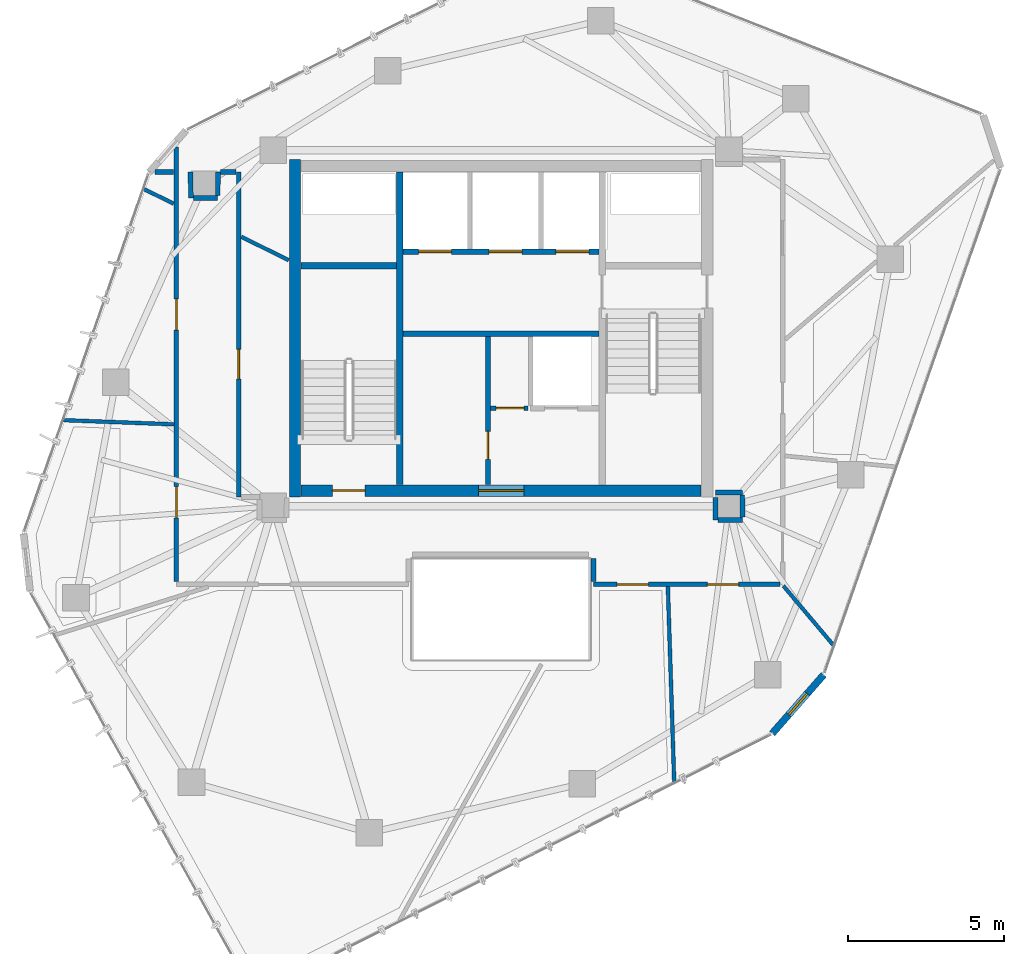
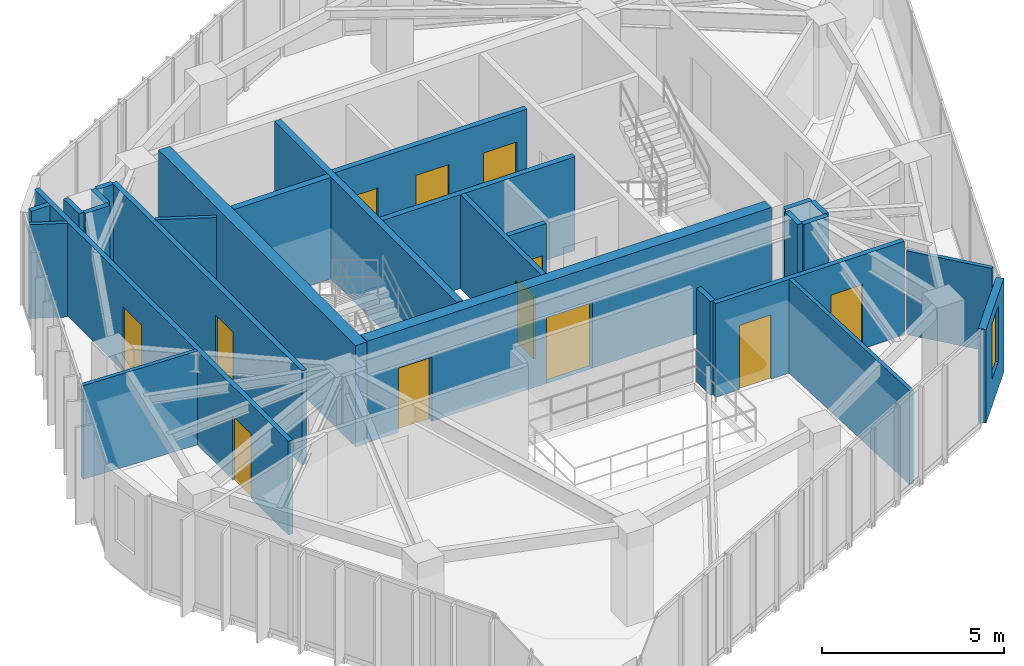
# One storey, part 17 of 21: 27 walls, 12 doors, 1 window, 13 openings.
"""IFC4 building model written with IfcOpenShell, lengths in metres."""

from ifc_helpers import new_model, si_unit, direction, frame, frame_2d, origin, place, context, subcontext, project, spatial, rectangle, extrude, source, transform, mapped, material, layer, layer_set, type_object, type_shapes, element, fill, save


model = new_model("IFC4")

# Units and contexts
model_context = context("Model", 3, precision=1e-05, world=origin(), true_north=direction((0.0, 1.0)))
body_context = subcontext(model_context, "Body", "Model", "MODEL_VIEW")
ifc_project = project(units=[si_unit("LENGTHUNIT", "METRE"), si_unit("AREAUNIT", "SQUARE_METRE"), si_unit("VOLUMEUNIT", "CUBIC_METRE"), si_unit("PLANEANGLEUNIT", "RADIAN"), si_unit("MASSUNIT", "GRAM", prefix="KILO")], contexts=[model_context])

# Site, building, storey
site_placement = place(None, origin())
site = spatial("IfcSite", under=ifc_project, at=site_placement, CompositionType="ELEMENT")
building_placement = place(site_placement, origin())
building = spatial("IfcBuilding", under=site, at=building_placement, Name="Talar Marvaseh", CompositionType="ELEMENT")
storey_placement = place(building_placement, frame((0.0, 0.0, 264.60009765625)))
storey = spatial("IfcBuildingStorey", under=building, at=storey_placement, Name="L70", CompositionType="ELEMENT", Elevation=264.60009765625)

# Wall, opening, window
ifc_material_1 = material(Name="Precast concrete C45/55", Category="concrete")
ifc_layer_1 = layer(ifc_material_1, 0.22509765625)
ifc_layer_set_1 = layer_set([ifc_layer_1], Name="Precast concrete C45/55")
wall_type_1 = type_object("IfcWallType", Name="Chamfered Hexagonal Corner Pier Wall Z4 225", PredefinedType="SOLIDWALL", material=ifc_layer_set_1)
wall_1_placement = place(storey_placement, frame((36.33349609375, 20.101806640625, 0.0), z_axis=(0.0, 0.0, 1.0), x_axis=(-0.659346883698, -0.751838870343, 0.0)))
wall_1 = element("IfcWall", 1, at=wall_1_placement, inside=storey, type_object=wall_type_1, Name="L70 Chamfered Corner Limestone Pier 6", PredefinedType="SOLIDWALL", context=body_context, shape_type="SweptSolid", body=[
    extrude(rectangle(XDim=2.50244140625, YDim=0.22509765625, at=frame_2d((1.251220703125, 0.0))), origin(), (0.0, 0.0, 1.0), 3.139892578125),
])
opening_1_placement = place(wall_1_placement, frame((0.801025390625, 0.0, 0.89990234375)))
opening_1 = element("IfcOpeningElement", 2, at=opening_1_placement, cuts=wall_1, Name="Opening WN-CHM09", PredefinedType="OPENING", context=body_context, shape_type="SweptSolid", body=[
    extrude(rectangle(XDim=0.89990234375, YDim=1.85009765625, at=frame_2d((0.449951171875, 0.925048828125))), frame((0.0, 0.12255859375, 0.0), z_axis=(0.0, -1.0, 0.0), x_axis=(1.0, 0.0, 0.0)), (0.0, 0.0, 1.0), 0.2451171875),
])
ifc_material_2 = material(Name="Laminated Low-E Solar Glass", Category="glass")
window_type = type_object("IfcWindowType", Name="Zone 4 Chamfered Corner Slot Window 900x1850", PartitioningType="SINGLE_PANEL", PredefinedType="WINDOW", material=ifc_material_2)
shared_shape_1 = source(origin(), body_context, "Body", "SweptSolid", [
    extrude(rectangle(XDim=0.89990234375, YDim=1.85009765625, at=frame_2d((0.449951171875, 0.925048828125))), frame((0.0, 0.030029296875, 0.0), z_axis=(0.0, -1.0, 0.0), x_axis=(1.0, 0.0, 0.0)), (0.0, 0.0, 1.0), 0.06005859375),
])
type_shapes(window_type, [shared_shape_1])
window_placement = place(opening_1_placement, origin())
window = element("IfcWindow", 3, at=window_placement, inside=storey, type_object=window_type, Name="L70 Chamfered Corner Slot Window", OverallHeight=1.85009765625, OverallWidth=0.89990234375, PartitioningType="SINGLE_PANEL", PredefinedType="WINDOW", context=body_context, shape_type="MappedRepresentation", body=[
    mapped(shared_shape_1, transform((0.0, 0.0, 0.0), x_axis=(1.0, 0.0, 0.0), y_axis=(0.0, 1.0, 0.0), z_axis=(0.0, 0.0, 1.0), scale=1.0)),
])
fill(opening_1, window)

# Wall, opening, door
ifc_material_3 = material(Name="Gypsum Board Partition Assembly")
ifc_layer_2 = layer(ifc_material_3, 0.155029296875)
ifc_layer_set_2 = layer_set([ifc_layer_2], Name="Gypsum Board Partition Assembly")
wall_type_2 = type_object("IfcWallType", Name="Corridor Fire-Rated Acoustic Partition 155", PredefinedType="PARTITIONING", material=ifc_layer_set_2)
wall_2_placement = place(storey_placement, frame((25.580078125, 26.199951171875, 0.0), z_axis=(0.0, 0.0, 1.0), x_axis=(0.0, 1.0, 0.0)))
wall_2 = element("IfcWall", 4, at=wall_2_placement, inside=storey, type_object=wall_type_2, Name="L70 Core BOH Partition", PredefinedType="PARTITIONING", context=body_context, shape_type="SweptSolid", body=[
    extrude(rectangle(XDim=4.739990234375, YDim=0.155029296875, at=frame_2d((2.3701171875, 0.0))), origin(), (0.0, 0.0, 1.0), 3.139892578125),
])
opening_2_placement = place(wall_2_placement, frame((0.800048828125, 0.0, 0.0)))
opening_2 = element("IfcOpeningElement", 5, at=opening_2_placement, cuts=wall_2, Name="Opening DR-BOH090", PredefinedType="OPENING", context=body_context, shape_type="SweptSolid", body=[
    extrude(rectangle(XDim=0.89990234375, YDim=2.10009765625, at=frame_2d((0.449951171875, 1.050048828125))), frame((0.0, 0.08740234375, 0.0), z_axis=(0.0, -1.0, 0.0), x_axis=(1.0, 0.0, 0.0)), (0.0, 0.0, 1.0), 0.175048828125),
])
ifc_material_4 = material(Name="Fire-Rated Steel Door Leaf", Category="steel")
door_type_1 = type_object("IfcDoorType", Name="Core Back-of-House Service Door 900x2100", OperationType="NOTDEFINED", PredefinedType="DOOR", material=ifc_material_4)
shared_shape_2 = source(origin(), body_context, "Body", "SweptSolid", [
    extrude(rectangle(XDim=0.89990234375, YDim=2.10009765625, at=frame_2d((0.449951171875, 1.050048828125))), frame((0.0, 0.02490234375, 0.0), z_axis=(0.0, -1.0, 0.0), x_axis=(1.0, 0.0, 0.0)), (0.0, 0.0, 1.0), 0.050048828125),
])
type_shapes(door_type_1, [shared_shape_2])
door_1_placement = place(opening_2_placement, origin())
door_1 = element("IfcDoor", 6, at=door_1_placement, inside=storey, type_object=door_type_1, Name="L70 Store Sky Extended Archive Room Door", OperationType="SINGLE_SWING_LEFT", OverallHeight=2.10009765625, OverallWidth=0.89990234375, PredefinedType="DOOR", context=body_context, shape_type="MappedRepresentation", body=[
    mapped(shared_shape_2, transform((0.0, 0.0, 0.0), x_axis=(1.0, 0.0, 0.0), y_axis=(0.0, 1.0, 0.0), z_axis=(0.0, 0.0, 1.0), scale=1.0)),
])
fill(opening_2, door_1)

wall_3_placement = place(storey_placement, frame((25.66357421875, 28.639892578125, 0.0), z_axis=(0.0, 0.0, 1.0), x_axis=(1.0, 0.0, 0.0)))
wall_3 = element("IfcWall", 7, at=wall_3_placement, inside=storey, type_object=wall_type_2, Name="L70 Core BOH Partition", PredefinedType="PARTITIONING", context=body_context, shape_type="SweptSolid", body=[
    extrude(rectangle(XDim=1.196533203125, YDim=0.155029296875, at=frame_2d((0.59814453125, 0.0))), origin(), (0.0, 0.0, 1.0), 3.139892578125),
])
opening_3_placement = place(wall_3_placement, frame((0.179931640625, 0.0, 0.0)))
opening_3 = element("IfcOpeningElement", 8, at=opening_3_placement, cuts=wall_3, Name="Opening DR-BOH090", PredefinedType="OPENING", context=body_context, shape_type="SweptSolid", body=[
    extrude(rectangle(XDim=0.89990234375, YDim=2.10009765625, at=frame_2d((0.449951171875, 1.050048828125))), frame((0.0, 0.08740234375, 0.0), z_axis=(0.0, -1.0, 0.0), x_axis=(1.0, 0.0, 0.0)), (0.0, 0.0, 1.0), 0.175048828125),
])
door_2_placement = place(opening_3_placement, origin())
door_2 = element("IfcDoor", 9, at=door_2_placement, inside=storey, type_object=door_type_1, Name="L70 Cleaner Sky Closet Door", OperationType="SINGLE_SWING_RIGHT", OverallHeight=2.10009765625, OverallWidth=0.89990234375, PredefinedType="DOOR", context=body_context, shape_type="MappedRepresentation", body=[
    mapped(shared_shape_2, transform((0.0, 0.0, 0.0), x_axis=(1.0, 0.0, 0.0), y_axis=(0.0, 1.0, 0.0), z_axis=(0.0, 0.0, 1.0), scale=1.0)),
])
fill(opening_3, door_2)

wall_4_placement = place(storey_placement, frame((17.60009765625, 36.199951171875, 0.0), z_axis=(0.0, 0.0, 1.0), x_axis=(0.0, -1.0, 0.0)))
wall_4 = element("IfcWall", 10, at=wall_4_placement, inside=storey, type_object=wall_type_2, Name="L70 Interior Partition Wall", PredefinedType="PARTITIONING", context=body_context, shape_type="SweptSolid", body=[
    extrude(rectangle(XDim=10.39990234375, YDim=0.155029296875, at=frame_2d((5.199951171875, 0.0))), origin(), (0.0, 0.0, 1.0), 3.139892578125),
])
opening_4_placement = place(wall_4_placement, frame((5.672119140625, 0.0, 0.0)))
opening_4 = element("IfcOpeningElement", 11, at=opening_4_placement, cuts=wall_4, Name="Opening DR-WC095", PredefinedType="OPENING", context=body_context, shape_type="SweptSolid", body=[
    extrude(rectangle(XDim=0.949951171875, YDim=2.14990234375, at=frame_2d((0.47509765625, 1.074951171875))), frame((0.0, 0.08740234375, 0.0), z_axis=(0.0, -1.0, 0.0), x_axis=(1.0, 0.0, 0.0)), (0.0, 0.0, 1.0), 0.175048828125),
])
ifc_material_5 = material(Name="Acoustic Engineered Oak Timber", Category="wood")
door_type_2 = type_object("IfcDoorType", Name="Washroom and Service Room Door 950x2150", OperationType="NOTDEFINED", PredefinedType="DOOR", material=ifc_material_5)
shared_shape_3 = source(origin(), body_context, "Body", "SweptSolid", [
    extrude(rectangle(XDim=0.949951171875, YDim=2.14990234375, at=frame_2d((0.47509765625, 1.074951171875))), frame((0.0, 0.02490234375, 0.0), z_axis=(0.0, -1.0, 0.0), x_axis=(1.0, 0.0, 0.0)), (0.0, 0.0, 1.0), 0.050048828125),
])
type_shapes(door_type_2, [shared_shape_3])
door_3_placement = place(opening_4_placement, origin())
door_3 = element("IfcDoor", 12, at=door_3_placement, inside=storey, type_object=door_type_2, Name="L70 Accessible WC Door", OperationType="SINGLE_SWING_LEFT", OverallHeight=2.14990234375, OverallWidth=0.949951171875, PredefinedType="DOOR", context=body_context, shape_type="MappedRepresentation", body=[
    mapped(shared_shape_3, transform((0.0, 0.0, 0.0), x_axis=(1.0, 0.0, 0.0), y_axis=(0.0, 1.0, 0.0), z_axis=(0.0, 0.0, 1.0), scale=1.0)),
])
fill(opening_4, door_3)

# Wall, openings, doors
wall_5_placement = place(storey_placement, frame((34.9365234375, 23.0, 0.0), z_axis=(0.0, 0.0, 1.0), x_axis=(-1.0, 0.0, 0.0)))
wall_5 = element("IfcWall", 13, at=wall_5_placement, inside=storey, type_object=wall_type_2, Name="L70 Interior Partition Wall", PredefinedType="PARTITIONING", context=body_context, shape_type="SweptSolid", body=[
    extrude(rectangle(XDim=5.9765625, YDim=0.155029296875, at=frame_2d((2.98828125, 0.0))), origin(), (0.0, 0.0, 1.0), 3.139892578125),
])
opening_5_placement = place(wall_5_placement, frame((4.215087890625, 0.0, 0.0)))
opening_5 = element("IfcOpeningElement", 14, at=opening_5_placement, cuts=wall_5, Name="Opening DR-RM100", PredefinedType="OPENING", context=body_context, shape_type="SweptSolid", body=[
    extrude(rectangle(XDim=1.0, YDim=2.14990234375, at=frame_2d((0.5, 1.074951171875))), frame((0.0, 0.08740234375, 0.0), z_axis=(0.0, -1.0, 0.0), x_axis=(1.0, 0.0, 0.0)), (0.0, 0.0, 1.0), 0.175048828125),
])
opening_6_placement = place(wall_5_placement, frame((1.324951171875, 0.0, 0.0)))
opening_6 = element("IfcOpeningElement", 15, at=opening_6_placement, cuts=wall_5, Name="Opening DR-RM100", PredefinedType="OPENING", context=body_context, shape_type="SweptSolid", body=[
    extrude(rectangle(XDim=1.0, YDim=2.14990234375, at=frame_2d((0.5, 1.074951171875))), frame((0.0, 0.08740234375, 0.0), z_axis=(0.0, -1.0, 0.0), x_axis=(1.0, 0.0, 0.0)), (0.0, 0.0, 1.0), 0.175048828125),
])
door_type_3 = type_object("IfcDoorType", Name="Corridor Fire-Rated Gallery Door 1000x2150", OperationType="NOTDEFINED", PredefinedType="DOOR", material=ifc_material_5)
shared_shape_4 = source(origin(), body_context, "Body", "SweptSolid", [
    extrude(rectangle(XDim=1.0, YDim=2.14990234375, at=frame_2d((0.5, 1.074951171875))), frame((0.0, 0.02490234375, 0.0), z_axis=(0.0, -1.0, 0.0), x_axis=(1.0, 0.0, 0.0)), (0.0, 0.0, 1.0), 0.050048828125),
])
type_shapes(door_type_3, [shared_shape_4])
door_4_placement = place(opening_5_placement, origin())
door_4 = element("IfcDoor", 16, at=door_4_placement, inside=storey, type_object=door_type_3, Name="L70 Artisan Craft Showroom Door", OperationType="SINGLE_SWING_LEFT", OverallHeight=2.14990234375, OverallWidth=1.0, PredefinedType="DOOR", context=body_context, shape_type="MappedRepresentation", body=[
    mapped(shared_shape_4, transform((0.0, 0.0, 0.0), x_axis=(1.0, 0.0, 0.0), y_axis=(0.0, 1.0, 0.0), z_axis=(0.0, 0.0, 1.0), scale=1.0)),
])
fill(opening_5, door_4)
door_5_placement = place(opening_6_placement, origin())
door_5 = element("IfcDoor", 17, at=door_5_placement, inside=storey, type_object=door_type_3, Name="L70 Registrar Mail and Post Room Door", OperationType="SINGLE_SWING_RIGHT", OverallHeight=2.14990234375, OverallWidth=1.0, PredefinedType="DOOR", context=body_context, shape_type="MappedRepresentation", body=[
    mapped(shared_shape_4, transform((0.0, 0.0, 0.0), x_axis=(1.0, 0.0, 0.0), y_axis=(0.0, 1.0, 0.0), z_axis=(0.0, 0.0, 1.0), scale=1.0)),
])
fill(opening_6, door_5)

wall_6_placement = place(storey_placement, frame((15.60009765625, 23.08349609375, 0.0), z_axis=(0.0, 0.0, 1.0), x_axis=(0.0, 1.0, 0.0)))
wall_6 = element("IfcWall", 18, at=wall_6_placement, inside=storey, type_object=wall_type_2, Name="L70 Interior Partition Wall", PredefinedType="PARTITIONING", context=body_context, shape_type="SweptSolid", body=[
    extrude(rectangle(XDim=13.91943359375, YDim=0.155029296875, at=frame_2d((6.959716796875, 0.0))), origin(), (0.0, 0.0, 1.0), 3.139892578125),
])
opening_7_placement = place(wall_6_placement, frame((2.044677734375, 0.0, 0.0)))
opening_7 = element("IfcOpeningElement", 19, at=opening_7_placement, cuts=wall_6, Name="Opening DR-RM100", PredefinedType="OPENING", context=body_context, shape_type="SweptSolid", body=[
    extrude(rectangle(XDim=1.0, YDim=2.14990234375, at=frame_2d((0.5, 1.074951171875))), frame((0.0, 0.08740234375, 0.0), z_axis=(0.0, -1.0, 0.0), x_axis=(1.0, 0.0, 0.0)), (0.0, 0.0, 1.0), 0.175048828125),
])
opening_8_placement = place(wall_6_placement, frame((8.0556640625, 0.0, 0.0)))
opening_8 = element("IfcOpeningElement", 20, at=opening_8_placement, cuts=wall_6, Name="Opening DR-RM100", PredefinedType="OPENING", context=body_context, shape_type="SweptSolid", body=[
    extrude(rectangle(XDim=1.0, YDim=2.14990234375, at=frame_2d((0.5, 1.074951171875))), frame((0.0, 0.08740234375, 0.0), z_axis=(0.0, -1.0, 0.0), x_axis=(1.0, 0.0, 0.0)), (0.0, 0.0, 1.0), 0.175048828125),
])
door_6_placement = place(opening_7_placement, origin())
door_6 = element("IfcDoor", 21, at=door_6_placement, inside=storey, type_object=door_type_3, Name="L70 Museum Publication Bookshop Door", OperationType="SINGLE_SWING_LEFT", OverallHeight=2.14990234375, OverallWidth=1.0, PredefinedType="DOOR", context=body_context, shape_type="MappedRepresentation", body=[
    mapped(shared_shape_4, transform((0.0, 0.0, 0.0), x_axis=(1.0, 0.0, 0.0), y_axis=(0.0, 1.0, 0.0), z_axis=(0.0, 0.0, 1.0), scale=1.0)),
])
fill(opening_7, door_6)
door_7_placement = place(opening_8_placement, origin())
door_7 = element("IfcDoor", 22, at=door_7_placement, inside=storey, type_object=door_type_3, Name="L70 Digital Paleography Studio Door", OperationType="SINGLE_SWING_RIGHT", OverallHeight=2.14990234375, OverallWidth=1.0, PredefinedType="DOOR", context=body_context, shape_type="MappedRepresentation", body=[
    mapped(shared_shape_4, transform((0.0, 0.0, 0.0), x_axis=(1.0, 0.0, 0.0), y_axis=(0.0, 1.0, 0.0), z_axis=(0.0, 0.0, 1.0), scale=1.0)),
])
fill(opening_8, door_7)

# Walls
wall_7_placement = place(storey_placement, frame((16.053955078125, 36.199951171875, 0.0), z_axis=(0.0, 0.0, 1.0), x_axis=(0.018168161375, -0.999834945335, 0.0)))
element("IfcWall", 23, at=wall_7_placement, inside=storey, type_object=wall_type_2, Name="L70 Interior Partition Wall", PredefinedType="PARTITIONING", context=body_context, shape_type="SweptSolid", body=[
    extrude(rectangle(XDim=0.833251953125, YDim=0.155029296875, at=frame_2d((0.41650390625, 0.0))), origin(), (0.0, 0.0, 1.0), 3.139892578125),
])
wall_8_placement = place(storey_placement, frame((16.152587890625, 35.3671875, 0.0), z_axis=(0.0, 0.0, 1.0), x_axis=(0.999997558852, 0.002209590566, 0.0)))
element("IfcWall", 24, at=wall_8_placement, inside=storey, type_object=wall_type_2, Name="L70 Interior Partition Wall", PredefinedType="PARTITIONING", context=body_context, shape_type="SweptSolid", body=[
    extrude(rectangle(XDim=0.7734375, YDim=0.155029296875, at=frame_2d((0.38671875, 0.0))), origin(), (0.0, 0.0, 1.0), 3.139892578125),
])
wall_9_placement = place(storey_placement, frame((16.927001953125, 35.452392578125, 0.0), z_axis=(0.0, 0.0, 1.0), x_axis=(0.009470509294, 0.999955153721, 0.0)))
element("IfcWall", 25, at=wall_9_placement, inside=storey, type_object=wall_type_2, Name="L70 Interior Partition Wall", PredefinedType="PARTITIONING", context=body_context, shape_type="SweptSolid", body=[
    extrude(rectangle(XDim=0.74755859375, YDim=0.155029296875, at=frame_2d((0.373779296875, 0.0))), origin(), (0.0, 0.0, 1.0), 3.139892578125),
])
wall_10_placement = place(storey_placement, frame((17.017578125, 36.199951171875, 0.0), z_axis=(0.0, 0.0, 1.0), x_axis=(1.0, 0.0, 0.0)))
element("IfcWall", 26, at=wall_10_placement, inside=storey, type_object=wall_type_2, Name="L70 Interior Partition Wall", PredefinedType="PARTITIONING", context=body_context, shape_type="SweptSolid", body=[
    extrude(rectangle(XDim=0.4990234375, YDim=0.155029296875, at=frame_2d((0.24951171875, 0.0))), origin(), (0.0, 0.0, 1.0), 3.139892578125),
])
wall_11_placement = place(storey_placement, frame((28.959716796875, 23.08349609375, 0.0), z_axis=(0.0, 0.0, 1.0), x_axis=(-0.003917697652, 0.999992325793, 0.0)))
element("IfcWall", 27, at=wall_11_placement, inside=storey, type_object=wall_type_2, Name="L70 Interior Partition Wall", PredefinedType="PARTITIONING", context=body_context, shape_type="SweptSolid", body=[
    extrude(rectangle(XDim=0.747802734375, YDim=0.155029296875, at=frame_2d((0.3740234375, 0.0))), origin(), (0.0, 0.0, 1.0), 3.139892578125),
])
wall_12_placement = place(storey_placement, frame((14.918212890625, 36.199951171875, 0.0), z_axis=(0.0, 0.0, 1.0), x_axis=(1.0, 0.0, 0.0)))
element("IfcWall", 28, at=wall_12_placement, inside=storey, type_object=wall_type_2, Name="L70 Interior Partition Wall", PredefinedType="PARTITIONING", context=body_context, shape_type="SweptSolid", body=[
    extrude(rectangle(XDim=0.598388671875, YDim=0.155029296875, at=frame_2d((0.29931640625, 0.0))), origin(), (0.0, 0.0, 1.0), 3.139892578125),
])
wall_13_placement = place(storey_placement, frame((33.72509765625, 25.93994140625, 0.0), z_axis=(0.0, 0.0, 1.0), x_axis=(-0.999986790873, -0.005139852152, 0.0)))
element("IfcWall", 29, at=wall_13_placement, inside=storey, type_object=wall_type_2, Name="L70 Interior Partition Wall", PredefinedType="PARTITIONING", context=body_context, shape_type="SweptSolid", body=[
    extrude(rectangle(XDim=0.85498046875, YDim=0.155029296875, at=frame_2d((0.427490234375, 0.0))), origin(), (0.0, 0.0, 1.0), 3.139892578125),
])
wall_14_placement = place(storey_placement, frame((32.864501953125, 25.772705078125, 0.0), z_axis=(0.0, 0.0, 1.0), x_axis=(0.0, -1.0, 0.0)))
element("IfcWall", 30, at=wall_14_placement, inside=storey, type_object=wall_type_2, Name="L70 Interior Partition Wall", PredefinedType="PARTITIONING", context=body_context, shape_type="SweptSolid", body=[
    extrude(rectangle(XDim=0.708251953125, YDim=0.155029296875, at=frame_2d((0.35400390625, 0.0))), origin(), (0.0, 0.0, 1.0), 3.139892578125),
])
wall_15_placement = place(storey_placement, frame((32.947998046875, 25.064453125, 0.0), z_axis=(0.0, 0.0, 1.0), x_axis=(1.0, 0.0, 0.0)))
element("IfcWall", 31, at=wall_15_placement, inside=storey, type_object=wall_type_2, Name="L70 Interior Partition Wall", PredefinedType="PARTITIONING", context=body_context, shape_type="SweptSolid", body=[
    extrude(rectangle(XDim=0.78759765625, YDim=0.155029296875, at=frame_2d((0.393798828125, 0.0))), origin(), (0.0, 0.0, 1.0), 3.139892578125),
])
wall_16_placement = place(storey_placement, frame((33.734619140625, 25.14794921875, 0.0), z_axis=(0.0, 0.0, 1.0), x_axis=(-0.012059770759, 0.99992727832, 0.0)))
element("IfcWall", 32, at=wall_16_placement, inside=storey, type_object=wall_type_2, Name="L70 Interior Partition Wall", PredefinedType="PARTITIONING", context=body_context, shape_type="SweptSolid", body=[
    extrude(rectangle(XDim=0.70849609375, YDim=0.155029296875, at=frame_2d((0.354248046875, 0.0))), origin(), (0.0, 0.0, 1.0), 3.139892578125),
])
ifc_layer_3 = layer(ifc_material_3, 0.1201171875)
ifc_layer_set_3 = layer_set([ifc_layer_3], Name="Gypsum Board Partition Assembly")
wall_type_3 = type_object("IfcWallType", Name="Demountable Studio Room Partition 120", PredefinedType="PARTITIONING", material=ifc_layer_set_3)
wall_17_placement = place(storey_placement, frame((11.989990234375, 28.2568359375, 0.0), z_axis=(0.0, 0.0, 1.0), x_axis=(0.999283369789, -0.037851642795, 0.0)))
element("IfcWall", 33, at=wall_17_placement, inside=storey, type_object=wall_type_3, Name="L70 Interior Partition Wall", PredefinedType="PARTITIONING", context=body_context, shape_type="SweptSolid", body=[
    extrude(rectangle(XDim=3.54736328125, YDim=0.1201171875, at=frame_2d((1.773681640625, 0.0))), origin(), (0.0, 0.0, 1.0), 3.139892578125),
])
wall_18_placement = place(storey_placement, frame((31.342041015625, 22.93505859375, 0.0), z_axis=(0.0, 0.0, 1.0), x_axis=(0.032504405628, -0.9994715922, 0.0)))
element("IfcWall", 34, at=wall_18_placement, inside=storey, type_object=wall_type_3, Name="L70 Interior Partition Wall", PredefinedType="PARTITIONING", context=body_context, shape_type="SweptSolid", body=[
    extrude(rectangle(XDim=6.279296875, YDim=0.1201171875, at=frame_2d((3.1396484375, 0.0))), origin(), (0.0, 0.0, 1.0), 3.139892578125),
])
wall_19_placement = place(storey_placement, frame((35.0419921875, 22.9501953125, 0.0), z_axis=(0.0, 0.0, 1.0), x_axis=(0.644758072183, -0.764386700797, 0.0)))
element("IfcWall", 35, at=wall_19_placement, inside=storey, type_object=wall_type_3, Name="L70 Interior Partition Wall", PredefinedType="PARTITIONING", context=body_context, shape_type="SweptSolid", body=[
    extrude(rectangle(XDim=2.48779296875, YDim=0.1201171875, at=frame_2d((1.243896484375, 0.0))), origin(), (0.0, 0.0, 1.0), 2.802001953125),
])
wall_20_placement = place(storey_placement, frame((15.5166015625, 35.19091796875, 0.0), z_axis=(0.0, 0.0, 1.0), x_axis=(-0.898582309505, 0.438805005719, 0.0)))
element("IfcWall", 36, at=wall_20_placement, inside=storey, type_object=wall_type_3, Name="L70 Interior Partition Wall", PredefinedType="PARTITIONING", context=body_context, shape_type="SweptSolid", body=[
    extrude(rectangle(XDim=1.059326171875, YDim=0.1201171875, at=frame_2d((0.52978515625, 0.0))), origin(), (0.0, 0.0, 1.0), 3.139892578125),
])
wall_21_placement = place(storey_placement, frame((19.199951171875, 33.3798828125, 0.0), z_axis=(0.0, 0.0, 1.0), x_axis=(-0.89658201536, 0.442877736777, 0.0)))
element("IfcWall", 37, at=wall_21_placement, inside=storey, type_object=wall_type_3, Name="L70 Interior Partition Wall", PredefinedType="PARTITIONING", context=body_context, shape_type="SweptSolid", body=[
    extrude(rectangle(XDim=1.691162109375, YDim=0.1201171875, at=frame_2d((0.845703125, 0.0))), origin(), (0.0, 0.0, 1.0), 3.139892578125),
])

# Wall, openings, doors
ifc_layer_4 = layer(ifc_material_1, 0.175048828125)
ifc_layer_set_4 = layer_set([ifc_layer_4], Name="Precast concrete C45/55")
wall_type_4 = type_object("IfcWallType", Name="Fire-Rated Lift Hoistway Enclosure Wall 175", PredefinedType="SOLIDWALL", material=ifc_layer_set_4)
wall_22_placement = place(storey_placement, frame((22.860107421875, 33.64990234375, 0.0), z_axis=(0.0, 0.0, 1.0), x_axis=(1.0, 0.0, 0.0)))
wall_22 = element("IfcWall", 38, at=wall_22_placement, inside=storey, type_object=wall_type_4, Name="L70 Firefighting and Service Lift Front Wall", PredefinedType="SOLIDWALL", context=body_context, shape_type="SweptSolid", body=[
    extrude(rectangle(XDim=6.27978515625, YDim=0.175048828125, at=frame_2d((3.139892578125, 0.0))), origin(), (0.0, 0.0, 1.0), 3.139892578125),
])
opening_9_placement = place(wall_22_placement, frame((0.5, 0.0, 0.0)))
opening_9 = element("IfcOpeningElement", 39, at=opening_9_placement, cuts=wall_22, Name="Opening LD-FF1", PredefinedType="OPENING", context=body_context, shape_type="SweptSolid", body=[
    extrude(rectangle(XDim=1.050048828125, YDim=2.14990234375, at=frame_2d((0.52490234375, 1.074951171875))), frame((0.0, 0.09765625, 0.0), z_axis=(0.0, -1.0, 0.0), x_axis=(1.0, 0.0, 0.0)), (0.0, 0.0, 1.0), 0.195068359375),
])
opening_10_placement = place(wall_22_placement, frame((2.760009765625, 0.0, 0.0)))
opening_10 = element("IfcOpeningElement", 40, at=opening_10_placement, cuts=wall_22, Name="Opening LD-FF2", PredefinedType="OPENING", context=body_context, shape_type="SweptSolid", body=[
    extrude(rectangle(XDim=1.050048828125, YDim=2.14990234375, at=frame_2d((0.52490234375, 1.074951171875))), frame((0.0, 0.09765625, 0.0), z_axis=(0.0, -1.0, 0.0), x_axis=(1.0, 0.0, 0.0)), (0.0, 0.0, 1.0), 0.195068359375),
])
opening_11_placement = place(wall_22_placement, frame((4.89990234375, 0.0, 0.0)))
opening_11 = element("IfcOpeningElement", 41, at=opening_11_placement, cuts=wall_22, Name="Opening LD-SV1", PredefinedType="OPENING", context=body_context, shape_type="SweptSolid", body=[
    extrude(rectangle(XDim=1.050048828125, YDim=2.14990234375, at=frame_2d((0.52490234375, 1.074951171875))), frame((0.0, 0.09765625, 0.0), z_axis=(0.0, -1.0, 0.0), x_axis=(1.0, 0.0, 0.0)), (0.0, 0.0, 1.0), 0.195068359375),
])
ifc_material_6 = material(Name="Stainless Steel Grade 316", Category="steel")
door_type_4 = type_object("IfcDoorType", Name="Automatic Sliding Lift Landing Door 1050x2150", OperationType="NOTDEFINED", PredefinedType="DOOR", material=ifc_material_6)
shared_shape_5 = source(origin(), body_context, "Body", "SweptSolid", [
    extrude(rectangle(XDim=1.050048828125, YDim=2.14990234375, at=frame_2d((0.52490234375, 1.074951171875))), frame((0.0, 0.02490234375, 0.0), z_axis=(0.0, -1.0, 0.0), x_axis=(1.0, 0.0, 0.0)), (0.0, 0.0, 1.0), 0.050048828125),
])
type_shapes(door_type_4, [shared_shape_5])
door_8_placement = place(opening_9_placement, origin())
door_8 = element("IfcDoor", 42, at=door_8_placement, inside=storey, type_object=door_type_4, Name="L70 Lift FFL-1 Sliding Landing Door", OperationType="SLIDING_TO_LEFT", OverallHeight=2.14990234375, OverallWidth=1.050048828125, PredefinedType="DOOR", context=body_context, shape_type="MappedRepresentation", body=[
    mapped(shared_shape_5, transform((0.0, 0.0, 0.0), x_axis=(1.0, 0.0, 0.0), y_axis=(0.0, 1.0, 0.0), z_axis=(0.0, 0.0, 1.0), scale=1.0)),
])
fill(opening_9, door_8)
door_9_placement = place(opening_10_placement, origin())
door_9 = element("IfcDoor", 43, at=door_9_placement, inside=storey, type_object=door_type_4, Name="L70 Lift FFL-2 Sliding Landing Door", OperationType="SLIDING_TO_LEFT", OverallHeight=2.14990234375, OverallWidth=1.050048828125, PredefinedType="DOOR", context=body_context, shape_type="MappedRepresentation", body=[
    mapped(shared_shape_5, transform((0.0, 0.0, 0.0), x_axis=(1.0, 0.0, 0.0), y_axis=(0.0, 1.0, 0.0), z_axis=(0.0, 0.0, 1.0), scale=1.0)),
])
fill(opening_10, door_9)
door_10_placement = place(opening_11_placement, origin())
door_10 = element("IfcDoor", 44, at=door_10_placement, inside=storey, type_object=door_type_4, Name="L70 Lift SVL-1 Sliding Landing Door", OperationType="SLIDING_TO_LEFT", OverallHeight=2.14990234375, OverallWidth=1.050048828125, PredefinedType="DOOR", context=body_context, shape_type="MappedRepresentation", body=[
    mapped(shared_shape_5, transform((0.0, 0.0, 0.0), x_axis=(1.0, 0.0, 0.0), y_axis=(0.0, 1.0, 0.0), z_axis=(0.0, 0.0, 1.0), scale=1.0)),
])
fill(opening_11, door_10)

# Walls
wall_23_placement = place(storey_placement, frame((22.860107421875, 31.02001953125, 0.0), z_axis=(0.0, 0.0, 1.0), x_axis=(1.0, 0.0, 0.0)))
element("IfcWall", 45, at=wall_23_placement, inside=storey, type_object=wall_type_4, Name="L70 Firefighting Lobby South Smoke Wall", PredefinedType="SOLIDWALL", context=body_context, shape_type="SweptSolid", body=[
    extrude(rectangle(XDim=6.27978515625, YDim=0.175048828125, at=frame_2d((3.139892578125, 0.0))), origin(), (0.0, 0.0, 1.0), 3.139892578125),
])
ifc_material_7 = material(Name="Concrete C50/60", Category="concrete")
ifc_layer_5 = layer(ifc_material_7, 0.199951171875)
ifc_layer_set_5 = layer_set([ifc_layer_5], Name="Concrete C50/60")
wall_type_5 = type_object("IfcWallType", Name="Stair Shaft Structural Concrete Shear Wall 200", PredefinedType="SHEAR", material=ifc_layer_set_5)
wall_24_placement = place(storey_placement, frame((22.760009765625, 26.199951171875, 0.0), z_axis=(0.0, 0.0, 1.0), x_axis=(0.0, 1.0, 0.0)))
element("IfcWall", 46, at=wall_24_placement, inside=storey, type_object=wall_type_5, Name="L70 Core West Stair Shear Wall", PredefinedType="SHEAR", context=body_context, shape_type="SweptSolid", body=[
    extrude(rectangle(XDim=10.0, YDim=0.199951171875, at=frame_2d((5.0, 0.0))), origin(), (0.0, 0.0, 1.0), 3.39990234375),
])
wall_25_placement = place(storey_placement, frame((19.60009765625, 33.199951171875, 0.0), z_axis=(0.0, 0.0, 1.0), x_axis=(1.0, 0.0, 0.0)))
element("IfcWall", 47, at=wall_25_placement, inside=storey, type_object=wall_type_5, Name="L70 Stair ST-1 North Shear Wall", PredefinedType="SHEAR", context=body_context, shape_type="SweptSolid", body=[
    extrude(rectangle(XDim=3.059814453125, YDim=0.199951171875, at=frame_2d((1.52978515625, 0.0))), origin(), (0.0, 0.0, 1.0), 3.39990234375),
])
ifc_layer_6 = layer(ifc_material_7, 0.360107421875)
ifc_layer_set_6 = layer_set([ifc_layer_6], Name="Concrete C50/60")
wall_type_6 = type_object("IfcWallType", Name="Upper Core Reinforced Concrete Shear Wall 360", PredefinedType="SHEAR", material=ifc_layer_set_6)
wall_26_placement = place(storey_placement, frame((19.39990234375, 25.800048828125, 0.0), z_axis=(0.0, 0.0, 1.0), x_axis=(0.0, 1.0, 0.0)))
element("IfcWall", 48, at=wall_26_placement, inside=storey, type_object=wall_type_6, Name="L70 West Core Shear Wall", PredefinedType="SHEAR", context=body_context, shape_type="SweptSolid", body=[
    extrude(rectangle(XDim=10.800048828125, YDim=0.360107421875, at=frame_2d((5.39990234375, 0.0))), origin(), (0.0, 0.0, 1.0), 3.39990234375),
])

# Wall, openings, doors
wall_27_placement = place(storey_placement, frame((32.39990234375, 26.0, 0.0), z_axis=(0.0, 0.0, 1.0), x_axis=(-1.0, 0.0, 0.0)))
wall_27 = element("IfcWall", 49, at=wall_27_placement, inside=storey, type_object=wall_type_6, Name="L70 South Core Shear Wall", PredefinedType="SHEAR", context=body_context, shape_type="SweptSolid", body=[
    extrude(rectangle(XDim=12.7998046875, YDim=0.360107421875, at=frame_2d((6.39990234375, 0.0))), origin(), (0.0, 0.0, 1.0), 3.39990234375),
])
opening_12_placement = place(wall_27_placement, frame((10.75, 0.0, 0.0)))
opening_12 = element("IfcOpeningElement", 50, at=opening_12_placement, cuts=wall_27, Name="Opening DR-ST105", PredefinedType="OPENING", context=body_context, shape_type="SweptSolid", body=[
    extrude(rectangle(XDim=1.050048828125, YDim=2.14990234375, at=frame_2d((0.52490234375, 1.074951171875))), frame((0.0, 0.18994140625, 0.0), z_axis=(0.0, -1.0, 0.0), x_axis=(1.0, 0.0, 0.0)), (0.0, 0.0, 1.0), 0.380126953125),
])
opening_13_placement = place(wall_27_placement, frame((5.669921875, 0.0, 0.0)))
opening_13 = element("IfcOpeningElement", 51, at=opening_13_placement, cuts=wall_27, Name="Opening DR-LBY145", PredefinedType="OPENING", context=body_context, shape_type="SweptSolid", body=[
    extrude(rectangle(XDim=1.449951171875, YDim=2.199951171875, at=frame_2d((0.72509765625, 1.10009765625))), frame((0.0, 0.18994140625, 0.0), z_axis=(0.0, -1.0, 0.0), x_axis=(1.0, 0.0, 0.0)), (0.0, 0.0, 1.0), 0.380126953125),
])
door_type_5 = type_object("IfcDoorType", Name="Protected Exit Stair Fire Door 1050x2150", OperationType="NOTDEFINED", PredefinedType="DOOR", material=ifc_material_4)
shared_shape_6 = source(origin(), body_context, "Body", "SweptSolid", [
    extrude(rectangle(XDim=1.050048828125, YDim=2.14990234375, at=frame_2d((0.52490234375, 1.074951171875))), frame((0.0, 0.02490234375, 0.0), z_axis=(0.0, -1.0, 0.0), x_axis=(1.0, 0.0, 0.0)), (0.0, 0.0, 1.0), 0.050048828125),
])
type_shapes(door_type_5, [shared_shape_6])
door_11_placement = place(opening_12_placement, origin())
door_11 = element("IfcDoor", 52, at=door_11_placement, inside=storey, type_object=door_type_5, Name="L70 Stair ST-1 Exit Door", OperationType="SINGLE_SWING_RIGHT", OverallHeight=2.14990234375, OverallWidth=1.050048828125, PredefinedType="DOOR", context=body_context, shape_type="MappedRepresentation", body=[
    mapped(shared_shape_6, transform((0.0, 0.0, 0.0), x_axis=(1.0, 0.0, 0.0), y_axis=(0.0, 1.0, 0.0), z_axis=(0.0, 0.0, 1.0), scale=1.0)),
])
fill(opening_12, door_11)
door_type_6 = type_object("IfcDoorType", Name="Core Lift Lobby Double Smoke Door 1450x2200", OperationType="NOTDEFINED", PredefinedType="DOOR", material=ifc_material_4)
shared_shape_7 = source(origin(), body_context, "Body", "SweptSolid", [
    extrude(rectangle(XDim=1.449951171875, YDim=2.199951171875, at=frame_2d((0.72509765625, 1.10009765625))), frame((0.0, 0.02490234375, 0.0), z_axis=(0.0, -1.0, 0.0), x_axis=(1.0, 0.0, 0.0)), (0.0, 0.0, 1.0), 0.050048828125),
])
type_shapes(door_type_6, [shared_shape_7])
door_12_placement = place(opening_13_placement, origin())
door_12 = element("IfcDoor", 53, at=door_12_placement, inside=storey, type_object=door_type_6, Name="L70 Passenger Lift Lobby Entrance Door", OperationType="DOUBLE_DOOR_SINGLE_SWING", OverallHeight=2.199951171875, OverallWidth=1.449951171875, PredefinedType="DOOR", context=body_context, shape_type="MappedRepresentation", body=[
    mapped(shared_shape_7, transform((0.0, 0.0, 0.0), x_axis=(1.0, 0.0, 0.0), y_axis=(0.0, 1.0, 0.0), z_axis=(0.0, 0.0, 1.0), scale=1.0)),
])
fill(opening_13, door_12)

save(model, "model.ifc")
